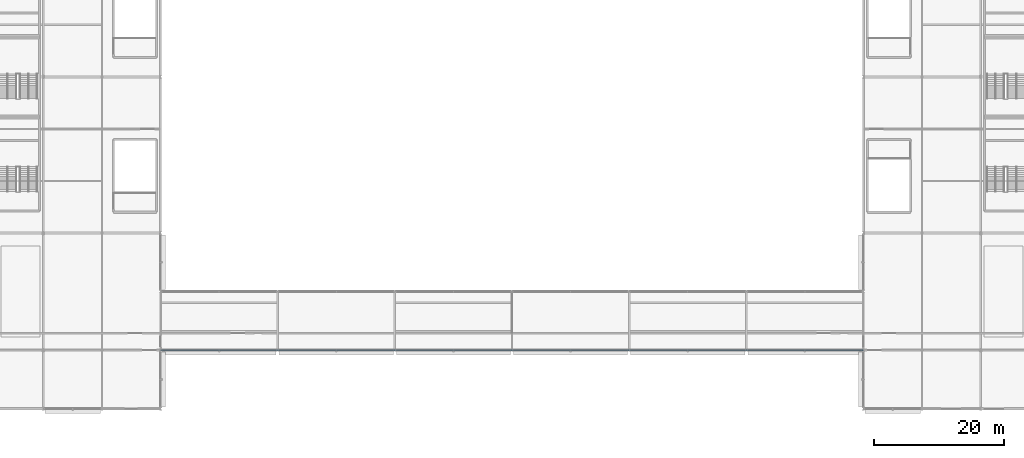
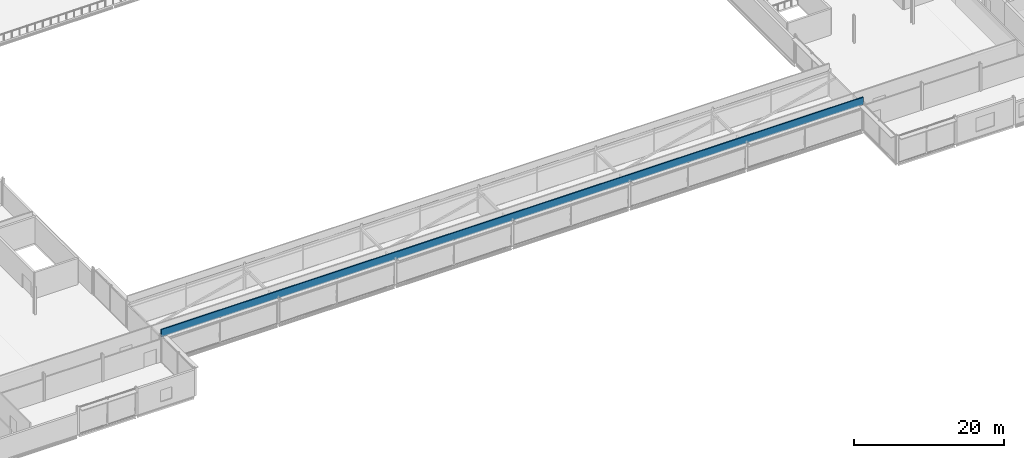
# One storey, part 38 of 73: 1 wall.
"""IFC4 building model written with IfcOpenShell, lengths in metres."""

from ifc_helpers import new_model, si_unit, direction, frame, frame_2d, origin, place, context, subcontext, project, spatial, rectangle, extrude, material, layer, layer_set, type_object, element, save


model = new_model("IFC4")

# Units and contexts
model_context = context("Model", 3, precision=1e-05, world=origin(), true_north=direction((0.0, 1.0)))
body_context = subcontext(model_context, "Body", "Model", "MODEL_VIEW")
ifc_project = project(units=[si_unit("LENGTHUNIT", "METRE"), si_unit("AREAUNIT", "SQUARE_METRE"), si_unit("VOLUMEUNIT", "CUBIC_METRE"), si_unit("PLANEANGLEUNIT", "RADIAN"), si_unit("MASSUNIT", "GRAM", prefix="KILO")], contexts=[model_context])

# Site, building, storey
site_placement = place(None, origin())
site = spatial("IfcSite", under=ifc_project, at=site_placement, CompositionType="ELEMENT")
building_placement = place(site_placement, origin())
building = spatial("IfcBuilding", under=site, at=building_placement, Name="Kisiwana Market Hall", CompositionType="ELEMENT")
storey_placement = place(building_placement, frame((0.0, 0.0, 33.300048828125)))
storey = spatial("IfcBuildingStorey", under=building, at=storey_placement, Name="L07", CompositionType="ELEMENT", Elevation=33.300048828125)

# Wall
ifc_material = material(Name="Concrete C40/50", Category="concrete")
ifc_layer = layer(ifc_material, 0.18994140625, Name="Podium edge upstand parapet")
ifc_layer_set = layer_set([ifc_layer], Name="WL-PARA-190")
wall_type = type_object("IfcWallType", Name="WL-PARA-190", PredefinedType="PARAPET", material=ifc_layer_set)
wall_placement = place(storey_placement, frame((45.0, 18.0, 4.050048828125), z_axis=(0.0, 0.0, 1.0), x_axis=(1.0, 0.0, 0.0)))
element("IfcWall", 1, at=wall_placement, inside=storey, type_object=wall_type, Name="Roof parapet wall W-2260", PredefinedType="PARAPET", context=body_context, shape_type="SweptSolid", body=[
    extrude(rectangle(XDim=108.0, YDim=0.18994140625, at=frame_2d((54.0, 0.0))), origin(), (0.0, 0.0, 1.0), 1.199951171875),
])

save(model, "model.ifc")
